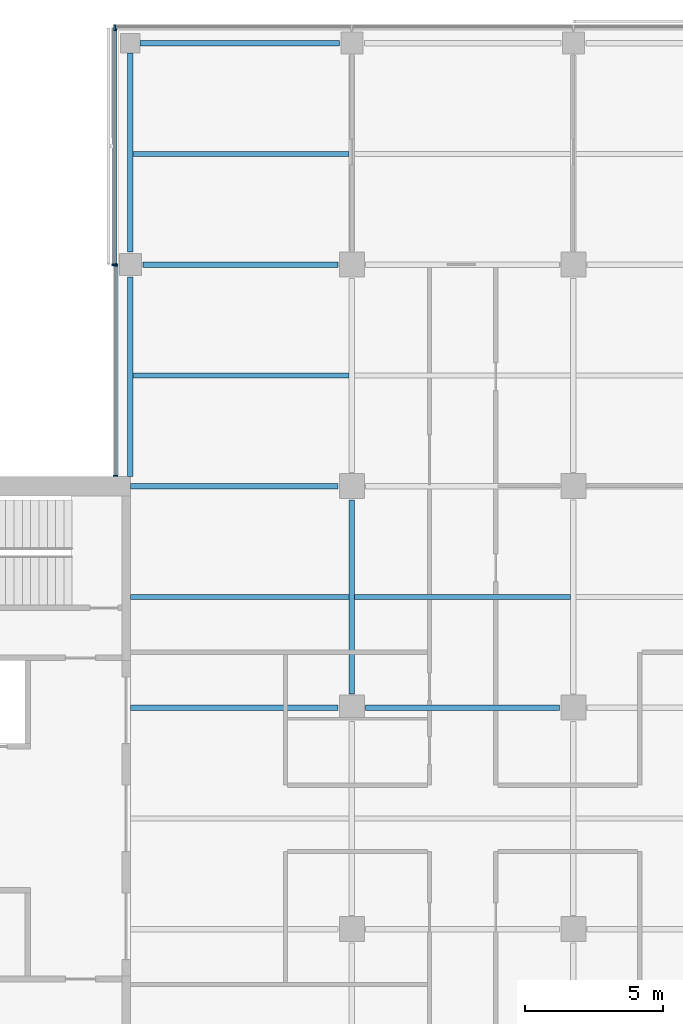
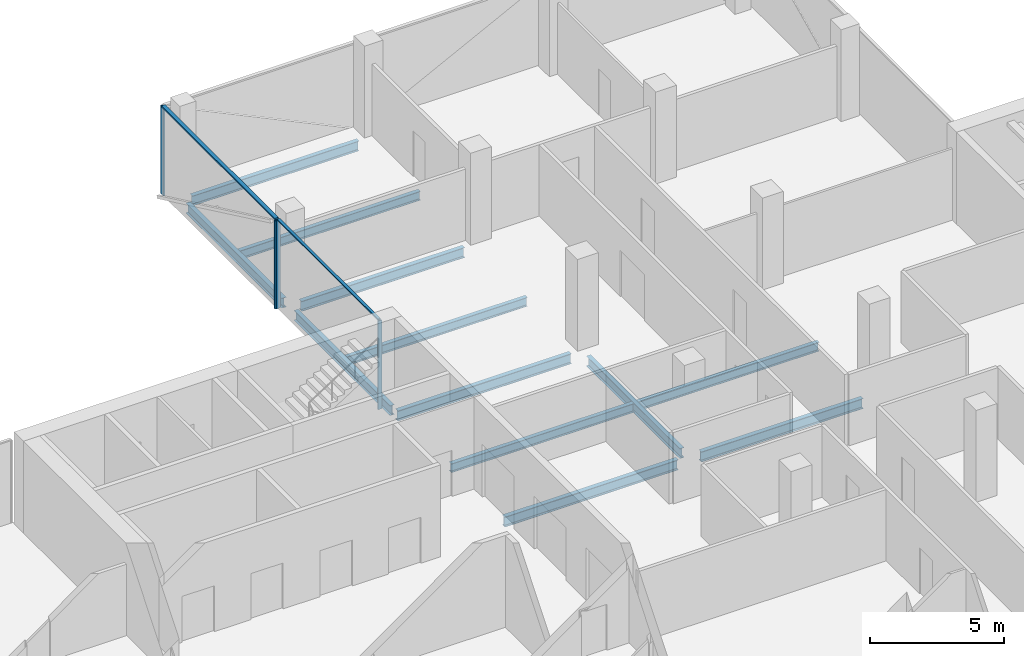
# One storey, part 8 of 22: 12 beams, 6 members, 3 elements without a shape of their own.
"""IFC4 building model written with IfcOpenShell, lengths in metres."""

from ifc_helpers import new_model, si_unit, direction, frame, origin, origin_2d, place, context, subcontext, project, spatial, rectangle, i_section, extrude, material, material_profile, profile_set, type_object, element, aggregate, save


model = new_model("IFC4")

# Units and contexts
model_context = context("Model", 3, precision=1e-05, world=origin(), true_north=direction((0.0, 1.0)))
body_context = subcontext(model_context, "Body", "Model", "MODEL_VIEW")
ifc_project = project(units=[si_unit("LENGTHUNIT", "METRE"), si_unit("AREAUNIT", "SQUARE_METRE"), si_unit("VOLUMEUNIT", "CUBIC_METRE"), si_unit("PLANEANGLEUNIT", "RADIAN"), si_unit("MASSUNIT", "GRAM", prefix="KILO")], contexts=[model_context])

# Site, building, storey
site_placement = place(None, origin())
site = spatial("IfcSite", under=ifc_project, at=site_placement, CompositionType="ELEMENT")
building_placement = place(site_placement, origin())
building = spatial("IfcBuilding", under=site, at=building_placement, Name="Crosswind Convention Tower", CompositionType="ELEMENT")
storey_placement = place(building_placement, frame((0.0, 0.0, 167.300048828125)))
storey = spatial("IfcBuildingStorey", under=building, at=storey_placement, Name="L35", CompositionType="ELEMENT", Elevation=167.300048828125)

# Beams
ifc_material_1 = material(Name="Steel S355", Category="steel")
ifc_material_profile_1 = material_profile(ifc_material_1, i_section(OverallWidth=0.18994140625, OverallDepth=0.45361328125, WebThickness=0.008544921875, FlangeThickness=0.0126953125, FilletRadius=0.01025390625, at=origin_2d()), Name="UB 457x191x67")
ifc_profile_set_1 = profile_set([ifc_material_profile_1], Name="Steel S355")
beam_type_1 = type_object("IfcBeamType", Name="Edge beam UB 457x191x67", PredefinedType="SPANDREL", material=ifc_profile_set_1)
for number, where, z_axis, x_axis, name in (
    (1, (113.0, 112.35009765625, -0.52685546875), (0.0, 1.0, 0.0), (-1.0, 0.0, 0.0), "B16 L35 edge beam 8"),
    (2, (113.0, 120.449951171875, -0.52685546875), (0.0, 1.0, 0.0), (-1.0, 0.0, 0.0), "B16 L35 edge beam 9"),
    (3, (113.35009765625, 128.0, -0.52685546875), (1.0, 0.0, 0.0), (0.0, 1.0, 0.0), "B16 L35 edge beam 11"),
):
    element("IfcBeam", number, at=place(storey_placement, frame(where, z_axis=z_axis, x_axis=x_axis)), inside=storey, type_object=beam_type_1, Name=name, PredefinedType="SPANDREL", context=body_context, shape_type="SweptSolid", body=[
        extrude(i_section(OverallWidth=0.18994140625, OverallDepth=0.45361328125, WebThickness=0.008544921875, FlangeThickness=0.0126953125, FilletRadius=0.01025390625, at=origin_2d()), origin(), (0.0, 0.0, 1.0), 7.199951171875),
    ])
ifc_material_profile_2 = material_profile(ifc_material_1, i_section(OverallWidth=0.19140625, OverallDepth=0.460205078125, WebThickness=0.010009765625, FlangeThickness=0.01611328125, FilletRadius=0.01025390625, at=origin_2d()), Name="UB 457x191x82")
ifc_profile_set_2 = profile_set([ifc_material_profile_2], Name="Steel S355")
beam_type_2 = type_object("IfcBeamType", Name="Girder UB 457x191x82", PredefinedType="BEAM", material=ifc_profile_set_2)
beam_1_placement = place(storey_placement, frame((113.449951171875, 120.0, -0.530029296875), z_axis=(1.0, 0.0, 0.0), x_axis=(0.0, 1.0, 0.0)))
element("IfcBeam", 4, at=beam_1_placement, inside=storey, type_object=beam_type_2, Name="B3 L35 girder 2", PredefinedType="BEAM", context=body_context, shape_type="SweptSolid", body=[
    extrude(i_section(OverallWidth=0.19140625, OverallDepth=0.460205078125, WebThickness=0.010009765625, FlangeThickness=0.01611328125, FilletRadius=0.01025390625, at=origin_2d()), origin(), (0.0, 0.0, 1.0), 7.050048828125),
])
for number, where, z_axis, x_axis, name in (
    (5, (121.0, 104.5, -0.530029296875), (0.0, 1.0, 0.0), (-1.0, 0.0, 0.0), "B3 L35 girder 7"),
    (6, (121.5, 104.0, -0.530029296875), (1.0, 0.0, 0.0), (0.0, 1.0, 0.0), "B3 L35 girder 13"),
):
    element("IfcBeam", number, at=place(storey_placement, frame(where, z_axis=z_axis, x_axis=x_axis)), inside=storey, type_object=beam_type_2, Name=name, PredefinedType="BEAM", context=body_context, shape_type="SweptSolid", body=[
        extrude(i_section(OverallWidth=0.19140625, OverallDepth=0.460205078125, WebThickness=0.010009765625, FlangeThickness=0.01611328125, FilletRadius=0.01025390625, at=origin_2d()), origin(), (0.0, 0.0, 1.0), 7.0),
    ])
ifc_material_profile_3 = material_profile(ifc_material_1, i_section(OverallWidth=0.19189453125, OverallDepth=0.463623046875, WebThickness=0.010498046875, FlangeThickness=0.017578125, FilletRadius=0.01025390625, at=origin_2d()), Name="UB 457x191x90")
ifc_profile_set_3 = profile_set([ifc_material_profile_3], Name="Steel S355")
beam_type_3 = type_object("IfcBeamType", Name="Girder at core wall UB 457x191x90", PredefinedType="BEAM", material=ifc_profile_set_3)
for number, where, z_axis, x_axis, name in (
    (7, (113.0, 104.0, -0.53173828125), (1.0, 0.0, 0.0), (0.0, 1.0, 0.0), "B24 L35 girder at core wall 5"),
    (8, (113.0, 112.0, -0.53173828125), (1.0, 0.0, 0.0), (0.0, 1.0, 0.0), "B24 L35 girder at core wall 6"),
):
    element("IfcBeam", number, at=place(storey_placement, frame(where, z_axis=z_axis, x_axis=x_axis)), inside=storey, type_object=beam_type_3, Name=name, PredefinedType="BEAM", context=body_context, shape_type="SweptSolid", body=[
        extrude(i_section(OverallWidth=0.19189453125, OverallDepth=0.463623046875, WebThickness=0.010498046875, FlangeThickness=0.017578125, FilletRadius=0.01025390625, at=origin_2d()), origin(), (0.0, 0.0, 1.0), 7.5),
    ])

# Curtain wall, members
ifc_material_2 = material(Name="Aluminium unitised curtain wall", Category="aluminium")
curtain_wall_type_1 = type_object("IfcCurtainWallType", Name="CORE END SLOT WALL 160", PredefinedType="USERDEFINED", material=ifc_material_2)
curtain_wall_1_placement = place(storey_placement, origin())
curtain_wall_1 = element("IfcCurtainWall", 9, at=curtain_wall_1_placement, inside=storey, type_object=curtain_wall_type_1, Name="CW6 L35 N-W.1-2 slot", ObjectType="UNITISED", PredefinedType="USERDEFINED")
ifc_material_3 = material(Name="Aluminium mullion", Category="aluminium")
ifc_material_profile_4 = material_profile(ifc_material_3, rectangle(XDim=0.159912109375, YDim=0.050048828125, at=origin_2d()), Name="AL 160X50")
ifc_profile_set_4 = profile_set([ifc_material_profile_4], Name="Aluminium mullion")
member_type_1 = type_object("IfcMemberType", Name="MULLION 50X160", PredefinedType="MULLION", material=ifc_profile_set_4)
member_1_placement = place(storey_placement, frame((112.469970703125, 119.97509765625, -0.300048828125), z_axis=(0.0, 0.0, 1.0), x_axis=(-1.0, 0.0, 0.0)))
member_1 = element("IfcMember", 10, at=member_1_placement, type_object=member_type_1, Name="CW6 mullion 1", PredefinedType="MULLION", context=body_context, shape_type="SweptSolid", body=[
    extrude(rectangle(XDim=0.159912109375, YDim=0.050048828125, at=origin_2d()), origin(), (0.0, 0.0, 1.0), 4.050048828125),
])
member_2_placement = place(storey_placement, frame((112.469970703125, 112.375, -0.300048828125), z_axis=(0.0, 0.0, 1.0), x_axis=(-1.0, 0.0, 0.0)))
member_2 = element("IfcMember", 11, at=member_2_placement, type_object=member_type_1, Name="CW6 mullion 2", PredefinedType="MULLION", context=body_context, shape_type="SweptSolid", body=[
    extrude(rectangle(XDim=0.159912109375, YDim=0.050048828125, at=origin_2d()), origin(), (0.0, 0.0, 1.0), 4.050048828125),
])

# Curtain wall, member
curtain_wall_type_2 = type_object("IfcCurtainWallType", Name="OFFICE UNITISED WALL 220", PredefinedType="USERDEFINED", material=ifc_material_2)
curtain_wall_2_placement = place(storey_placement, origin())
curtain_wall_2 = element("IfcCurtainWall", 12, at=curtain_wall_2_placement, inside=storey, type_object=curtain_wall_type_2, Name="CW3 L35 N-TIP 1", ObjectType="UNITISED", PredefinedType="USERDEFINED")
ifc_material_profile_5 = material_profile(ifc_material_3, rectangle(XDim=0.219970703125, YDim=0.070068359375, at=origin_2d()), Name="AL 220X70")
ifc_profile_set_5 = profile_set([ifc_material_profile_5], Name="Aluminium mullion")
member_type_2 = type_object("IfcMemberType", Name="MULLION 70X220", PredefinedType="MULLION", material=ifc_profile_set_5)
member_3_placement = place(storey_placement, frame((112.43994140625, 128.56005859375, -0.300048828125), z_axis=(0.0, 0.0, 1.0), x_axis=(0.0, 1.0, 0.0)))
member_3 = element("IfcMember", 13, at=member_3_placement, type_object=member_type_2, Name="CW3 mullion 4", PredefinedType="MULLION", context=body_context, shape_type="SweptSolid", body=[
    extrude(rectangle(XDim=0.219970703125, YDim=0.070068359375, at=origin_2d()), origin(), (0.0, 0.0, 1.0), 4.030029296875),
])
aggregate(curtain_wall_2, [member_3])

curtain_wall_3_placement = place(storey_placement, origin())
curtain_wall_3 = element("IfcCurtainWall", 14, at=curtain_wall_3_placement, inside=storey, type_object=curtain_wall_type_2, Name="CW3 L35 N-W 1", ObjectType="UNITISED", PredefinedType="USERDEFINED")
member_4_placement = place(storey_placement, frame((112.43994140625, 120.0, -0.300048828125), z_axis=(0.0, 0.0, 1.0), x_axis=(-1.0, 0.0, 0.0)))
member_4 = element("IfcMember", 15, at=member_4_placement, type_object=member_type_2, Name="CW3 mullion 2", PredefinedType="MULLION", context=body_context, shape_type="SweptSolid", body=[
    extrude(rectangle(XDim=0.219970703125, YDim=0.070068359375, at=origin_2d()), origin(), (0.0, 0.0, 1.0), 4.030029296875),
])

# Beams
ifc_material_profile_6 = material_profile(ifc_material_1, i_section(OverallWidth=0.177734375, OverallDepth=0.406494140625, WebThickness=0.0078125, FlangeThickness=0.0126953125, FilletRadius=0.01025390625, at=origin_2d()), Name="UB 406x178x60")
ifc_profile_set_6 = profile_set([ifc_material_profile_6], Name="Steel S355")
beam_type_4 = type_object("IfcBeamType", Name="Secondary beam UB 406x178x60", PredefinedType="JOIST", material=ifc_profile_set_6)
beam_2_placement = place(storey_placement, frame((113.0, 108.0, -0.503173828125), z_axis=(1.0, 0.0, 0.0), x_axis=(0.0, 1.0, 0.0)))
element("IfcBeam", 16, at=beam_2_placement, inside=storey, type_object=beam_type_4, Name="B10 L35 secondary beam 6", PredefinedType="JOIST", context=body_context, shape_type="SweptSolid", body=[
    extrude(i_section(OverallWidth=0.177734375, OverallDepth=0.406494140625, WebThickness=0.0078125, FlangeThickness=0.0126953125, FilletRadius=0.01025390625, at=origin_2d()), origin(), (0.0, 0.0, 1.0), 7.904296875),
])
for number, where, z_axis, x_axis, name in (
    (17, (113.094970703125, 116.0, -0.503173828125), (1.0, 0.0, 0.0), (0.0, 1.0, 0.0), "B10 L35 secondary beam 9"),
    (18, (113.094970703125, 124.0, -0.503173828125), (1.0, 0.0, 0.0), (0.0, 1.0, 0.0), "B10 L35 secondary beam 10"),
):
    element("IfcBeam", number, at=place(storey_placement, frame(where, z_axis=z_axis, x_axis=x_axis)), inside=storey, type_object=beam_type_4, Name=name, PredefinedType="JOIST", context=body_context, shape_type="SweptSolid", body=[
        extrude(i_section(OverallWidth=0.177734375, OverallDepth=0.406494140625, WebThickness=0.0078125, FlangeThickness=0.0126953125, FilletRadius=0.01025390625, at=origin_2d()), origin(), (0.0, 0.0, 1.0), 7.809326171875),
    ])
beam_3_placement = place(storey_placement, frame((121.095703125, 108.0, -0.503173828125), z_axis=(1.0, 0.0, 0.0), x_axis=(0.0, 1.0, 0.0)))
element("IfcBeam", 19, at=beam_3_placement, inside=storey, type_object=beam_type_4, Name="B10 L35 secondary beam 15", PredefinedType="JOIST", context=body_context, shape_type="SweptSolid", body=[
    extrude(i_section(OverallWidth=0.177734375, OverallDepth=0.406494140625, WebThickness=0.0078125, FlangeThickness=0.0126953125, FilletRadius=0.01025390625, at=origin_2d()), origin(), (0.0, 0.0, 1.0), 7.80859375),
])

# Member
ifc_material_4 = material(Name="Aluminium transom", Category="aluminium")
ifc_material_profile_7 = material_profile(ifc_material_4, rectangle(XDim=0.1201171875, YDim=0.050048828125, at=origin_2d()), Name="AL 120X50")
ifc_profile_set_7 = profile_set([ifc_material_profile_7], Name="Aluminium transom")
member_type_3 = type_object("IfcMemberType", Name="TRANSOM 50X120", PredefinedType="USERDEFINED", material=ifc_profile_set_7)
member_5_placement = place(storey_placement, frame((112.469970703125, 119.949951171875, 3.77490234375), z_axis=(0.0, -1.0, 0.0), x_axis=(1.0, 0.0, 0.0)))
member_5 = element("IfcMember", 20, at=member_5_placement, type_object=member_type_3, Name="CW6 transom", ObjectType="TRANSOM", PredefinedType="USERDEFINED", context=body_context, shape_type="SweptSolid", body=[
    extrude(rectangle(XDim=0.1201171875, YDim=0.050048828125, at=origin_2d()), origin(), (0.0, 0.0, 1.0), 7.550048828125),
])

aggregate(curtain_wall_1, [member_1, member_2, member_5])

ifc_material_profile_8 = material_profile(ifc_material_4, rectangle(XDim=0.159912109375, YDim=0.070068359375, at=origin_2d()), Name="AL 160X70")
ifc_profile_set_8 = profile_set([ifc_material_profile_8], Name="Aluminium transom")
member_type_4 = type_object("IfcMemberType", Name="TRANSOM 70X160", PredefinedType="USERDEFINED", material=ifc_profile_set_8)
member_6_placement = place(storey_placement, frame((112.43994140625, 128.52490234375, 3.764892578125), z_axis=(0.0, -1.0, 0.0), x_axis=(1.0, 0.0, 0.0)))
member_6 = element("IfcMember", 21, at=member_6_placement, type_object=member_type_4, Name="CW3 transom", ObjectType="TRANSOM", PredefinedType="USERDEFINED", context=body_context, shape_type="SweptSolid", body=[
    extrude(rectangle(XDim=0.159912109375, YDim=0.070068359375, at=origin_2d()), origin(), (0.0, 0.0, 1.0), 8.489990234375),
])

aggregate(curtain_wall_3, [member_4, member_6])

save(model, "model.ifc")
